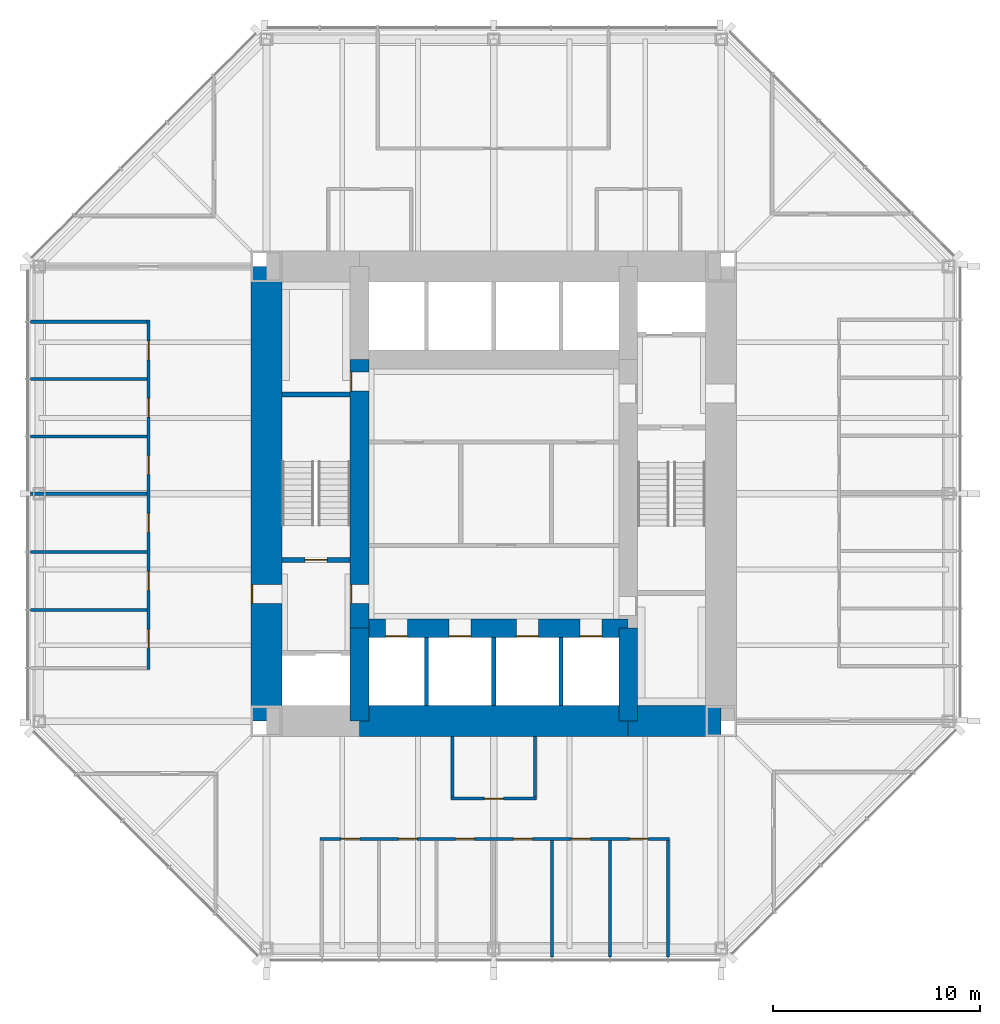
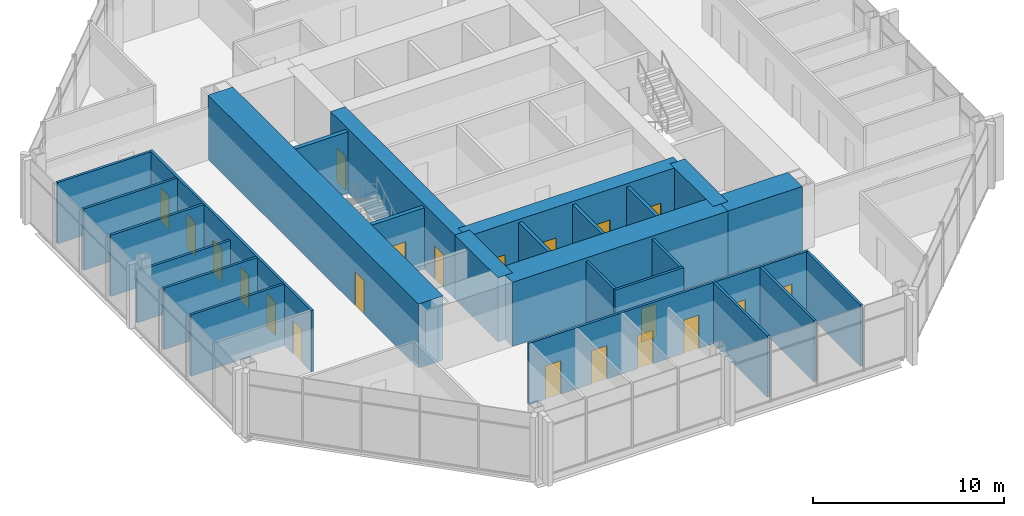
# One storey, part 9 of 12: 26 walls, 21 doors, 21 openings.
"""IFC4 building model written with IfcOpenShell, lengths in metres."""

from ifc_helpers import new_model, si_unit, direction, frame, frame_2d, origin, place, context, subcontext, project, spatial, rectangle, extrude, material, layer, layer_set, type_object, element, fill, save


model = new_model("IFC4")

# Units and contexts
model_context = context("Model", 3, precision=1e-05, world=origin(), true_north=direction((0.0, 1.0)))
body_context = subcontext(model_context, "Body", "Model", "MODEL_VIEW")
ifc_project = project(units=[si_unit("LENGTHUNIT", "METRE"), si_unit("AREAUNIT", "SQUARE_METRE"), si_unit("VOLUMEUNIT", "CUBIC_METRE"), si_unit("PLANEANGLEUNIT", "RADIAN"), si_unit("MASSUNIT", "GRAM", prefix="KILO")], contexts=[model_context])

# Site, building, storey
site_placement = place(None, origin())
site = spatial("IfcSite", under=ifc_project, at=site_placement, CompositionType="ELEMENT")
building_placement = place(site_placement, origin())
building = spatial("IfcBuilding", under=site, at=building_placement, Name="Trevanion Tower", CompositionType="ELEMENT")
storey_placement = place(building_placement, frame((0.0, 0.0, 174.60009765625)))
storey = spatial("IfcBuildingStorey", under=building, at=storey_placement, Name="L41", CompositionType="ELEMENT", Elevation=174.60009765625)

# Wall, opening, door
ifc_material_1 = material(Name="Concrete 10,000 psi", Category="concrete")
ifc_layer_1 = layer(ifc_material_1, 1.5)
ifc_layer_set_1 = layer_set([ifc_layer_1], Name="CW1 core wall 1500")
wall_type_1 = type_object("IfcWallType", Name="CW1 core wall 1500", PredefinedType="SHEAR", material=ifc_layer_set_1)
wall_1_placement = place(storey_placement, frame((-11.0, 11.0, 0.0), z_axis=(0.0, 0.0, 1.0), x_axis=(0.0, -1.0, 0.0)))
wall_1 = element("IfcWall", 1, at=wall_1_placement, inside=storey, type_object=wall_type_1, Name="CW1 CW L41", PredefinedType="SHEAR", context=body_context, shape_type="SweptSolid", body=[
    extrude(rectangle(XDim=22.0, YDim=1.5, at=frame_2d((11.0, 0.0))), origin(), (0.0, 0.0, 1.0), 4.099853515625),
])
opening_1_placement = place(wall_1_placement, frame((15.392578125, 0.0, 0.0)))
opening_1 = element("IfcOpeningElement", 2, at=opening_1_placement, cuts=wall_1, Name="Opening 41-002", PredefinedType="OPENING", context=body_context, shape_type="SweptSolid", body=[
    extrude(rectangle(XDim=0.9150390625, YDim=2.134033203125, at=frame_2d((0.45751953125, 1.06689453125))), frame((0.0, 0.760009765625, 0.0), z_axis=(0.0, -1.0, 0.0), x_axis=(1.0, 0.0, 0.0)), (0.0, 0.0, 1.0), 1.52001953125),
])
ifc_material_2 = material(Name="Hollow metal, fire rated", Category="steel")
door_type_1 = type_object("IfcDoorType", Name="D3 fire lift lobby door", OperationType="SINGLE_SWING_RIGHT", PredefinedType="DOOR", material=ifc_material_2)
door_1_placement = place(opening_1_placement, origin())
door_1 = element("IfcDoor", 3, at=door_1_placement, inside=storey, type_object=door_type_1, Name="Door 41-002", OperationType="SINGLE_SWING_RIGHT", OverallHeight=2.134033203125, OverallWidth=0.9150390625, PredefinedType="DOOR", context=body_context, shape_type="SweptSolid", body=[
    extrude(rectangle(XDim=0.9150390625, YDim=2.134033203125, at=frame_2d((0.45751953125, 1.06689453125))), frame((0.0, -0.6748046875, 0.0), z_axis=(0.0, -1.0, 0.0), x_axis=(1.0, 0.0, 0.0)), (0.0, 0.0, 1.0), 0.050048828125),
])
fill(opening_1, door_1)

# Walls
wall_2_placement = place(storey_placement, frame((-6.5, -11.0, 0.0), z_axis=(0.0, 0.0, 1.0), x_axis=(1.0, 0.0, 0.0)))
element("IfcWall", 4, at=wall_2_placement, inside=storey, type_object=wall_type_1, Name="CW1 CS2 L41", PredefinedType="SHEAR", context=body_context, shape_type="SweptSolid", body=[
    extrude(rectangle(XDim=13.0, YDim=1.5, at=frame_2d((6.5, 0.0))), origin(), (0.0, 0.0, 1.0), 4.099853515625),
])
wall_3_placement = place(storey_placement, frame((6.5, -11.0, 0.0), z_axis=(0.0, 0.0, 1.0), x_axis=(1.0, 0.0, 0.0)))
element("IfcWall", 5, at=wall_3_placement, inside=storey, type_object=wall_type_1, Name="CW1 CS3 L41", PredefinedType="SHEAR", context=body_context, shape_type="SweptSolid", body=[
    extrude(rectangle(XDim=4.5, YDim=1.5, at=frame_2d((2.25, 0.0))), origin(), (0.0, 0.0, 1.0), 4.099853515625),
])
ifc_material_3 = material(Name="Concrete 10,000 psi", Category="concrete")
ifc_layer_2 = layer(ifc_material_3, 0.89990234375)
ifc_layer_set_2 = layer_set([ifc_layer_2], Name="CW2 core wall 900")
wall_type_2 = type_object("IfcWallType", Name="CW2 core wall 900", PredefinedType="SHEAR", material=ifc_layer_set_2)
wall_4_placement = place(storey_placement, frame((6.5, -11.0, 0.0), z_axis=(0.0, 0.0, 1.0), x_axis=(0.0, 1.0, 0.0)))
element("IfcWall", 6, at=wall_4_placement, inside=storey, type_object=wall_type_2, Name="CW2 RE1 L41", PredefinedType="SHEAR", context=body_context, shape_type="SweptSolid", body=[
    extrude(rectangle(XDim=4.5, YDim=0.89990234375, at=frame_2d((2.25, 0.0))), origin(), (0.0, 0.0, 1.0), 4.099853515625),
])

# Wall, openings, doors
wall_5_placement = place(storey_placement, frame((-6.5, 6.5, 0.0), z_axis=(0.0, 0.0, 1.0), x_axis=(0.0, -1.0, 0.0)))
wall_5 = element("IfcWall", 7, at=wall_5_placement, inside=storey, type_object=wall_type_2, Name="CW2 RW2 L41", PredefinedType="SHEAR", context=body_context, shape_type="SweptSolid", body=[
    extrude(rectangle(XDim=13.0, YDim=0.89990234375, at=frame_2d((6.5, 0.0))), origin(), (0.0, 0.0, 1.0), 4.099853515625),
])
opening_2_placement = place(wall_5_placement, frame((10.892578125, 0.0, 0.0)))
opening_2 = element("IfcOpeningElement", 8, at=opening_2_placement, cuts=wall_5, Name="Opening 41-004", PredefinedType="OPENING", context=body_context, shape_type="SweptSolid", body=[
    extrude(rectangle(XDim=0.9150390625, YDim=2.134033203125, at=frame_2d((0.45751953125, 1.06689453125))), frame((0.0, 0.4599609375, 0.0), z_axis=(0.0, -1.0, 0.0), x_axis=(1.0, 0.0, 0.0)), (0.0, 0.0, 1.0), 0.919921875),
])
opening_3_placement = place(wall_5_placement, frame((0.610107421875, 0.0, 0.0)))
opening_3 = element("IfcOpeningElement", 9, at=opening_3_placement, cuts=wall_5, Name="Opening 41-010", PredefinedType="OPENING", context=body_context, shape_type="SweptSolid", body=[
    extrude(rectangle(XDim=0.9150390625, YDim=2.134033203125, at=frame_2d((0.45751953125, 1.06689453125))), frame((0.0, 0.4599609375, 0.0), z_axis=(0.0, -1.0, 0.0), x_axis=(1.0, 0.0, 0.0)), (0.0, 0.0, 1.0), 0.919921875),
])
door_2_placement = place(opening_2_placement, origin())
door_2 = element("IfcDoor", 10, at=door_2_placement, inside=storey, type_object=door_type_1, Name="Door 41-004", OperationType="SINGLE_SWING_RIGHT", OverallHeight=2.134033203125, OverallWidth=0.9150390625, PredefinedType="DOOR", context=body_context, shape_type="SweptSolid", body=[
    extrude(rectangle(XDim=0.9150390625, YDim=2.134033203125, at=frame_2d((0.45751953125, 1.06689453125))), frame((0.0, -0.375, 0.0), z_axis=(0.0, -1.0, 0.0), x_axis=(1.0, 0.0, 0.0)), (0.0, 0.0, 1.0), 0.050048828125),
])
fill(opening_2, door_2)
ifc_material_4 = material(Name="Hollow metal, fire rated", Category="steel")
door_type_2 = type_object("IfcDoorType", Name="D5 service room door", OperationType="SINGLE_SWING_RIGHT", PredefinedType="DOOR", material=ifc_material_4)
door_3_placement = place(opening_3_placement, origin())
door_3 = element("IfcDoor", 11, at=door_3_placement, inside=storey, type_object=door_type_2, Name="Door 41-010", OperationType="SINGLE_SWING_RIGHT", OverallHeight=2.134033203125, OverallWidth=0.9150390625, PredefinedType="DOOR", context=body_context, shape_type="SweptSolid", body=[
    extrude(rectangle(XDim=0.9150390625, YDim=2.134033203125, at=frame_2d((0.45751953125, 1.06689453125))), frame((0.0, -0.375, 0.0), z_axis=(0.0, -1.0, 0.0), x_axis=(1.0, 0.0, 0.0)), (0.0, 0.0, 1.0), 0.050048828125),
])
fill(opening_3, door_3)

# Wall
wall_6_placement = place(storey_placement, frame((-6.5, -6.5, 0.0), z_axis=(0.0, 0.0, 1.0), x_axis=(0.0, -1.0, 0.0)))
element("IfcWall", 12, at=wall_6_placement, inside=storey, type_object=wall_type_2, Name="CW2 RW3 L41", PredefinedType="SHEAR", context=body_context, shape_type="SweptSolid", body=[
    extrude(rectangle(XDim=4.5, YDim=0.89990234375, at=frame_2d((2.25, 0.0))), origin(), (0.0, 0.0, 1.0), 4.099853515625),
])

# Wall, openings, doors
wall_7_placement = place(storey_placement, frame((-6.5, -6.5, 0.0), z_axis=(0.0, 0.0, 1.0), x_axis=(1.0, 0.0, 0.0)))
wall_7 = element("IfcWall", 13, at=wall_7_placement, inside=storey, type_object=wall_type_2, Name="CW2 RS L41", PredefinedType="SHEAR", context=body_context, shape_type="SweptSolid", body=[
    extrude(rectangle(XDim=13.0, YDim=0.89990234375, at=frame_2d((6.5, 0.0))), origin(), (0.0, 0.0, 1.0), 4.099853515625),
])
opening_4_placement = place(wall_7_placement, frame((1.2666015625, 0.0, 0.0)))
opening_4 = element("IfcOpeningElement", 14, at=opening_4_placement, cuts=wall_7, Name="Opening 41-011", PredefinedType="OPENING", context=body_context, shape_type="SweptSolid", body=[
    extrude(rectangle(XDim=1.06689453125, YDim=2.134033203125, at=frame_2d((0.533447265625, 1.06689453125))), frame((0.0, 0.4599609375, 0.0), z_axis=(0.0, -1.0, 0.0), x_axis=(1.0, 0.0, 0.0)), (0.0, 0.0, 1.0), 0.919921875),
])
opening_5_placement = place(wall_7_placement, frame((4.341552734375, 0.0, 0.0)))
opening_5 = element("IfcOpeningElement", 15, at=opening_5_placement, cuts=wall_7, Name="Opening 41-012", PredefinedType="OPENING", context=body_context, shape_type="SweptSolid", body=[
    extrude(rectangle(XDim=1.06689453125, YDim=2.134033203125, at=frame_2d((0.533447265625, 1.06689453125))), frame((0.0, 0.4599609375, 0.0), z_axis=(0.0, -1.0, 0.0), x_axis=(1.0, 0.0, 0.0)), (0.0, 0.0, 1.0), 0.919921875),
])
opening_6_placement = place(wall_7_placement, frame((7.591552734375, 0.0, 0.0)))
opening_6 = element("IfcOpeningElement", 16, at=opening_6_placement, cuts=wall_7, Name="Opening 41-013", PredefinedType="OPENING", context=body_context, shape_type="SweptSolid", body=[
    extrude(rectangle(XDim=1.06689453125, YDim=2.134033203125, at=frame_2d((0.533447265625, 1.06689453125))), frame((0.0, 0.4599609375, 0.0), z_axis=(0.0, -1.0, 0.0), x_axis=(1.0, 0.0, 0.0)), (0.0, 0.0, 1.0), 0.919921875),
])
opening_7_placement = place(wall_7_placement, frame((10.66650390625, 0.0, 0.0)))
opening_7 = element("IfcOpeningElement", 17, at=opening_7_placement, cuts=wall_7, Name="Opening 41-014", PredefinedType="OPENING", context=body_context, shape_type="SweptSolid", body=[
    extrude(rectangle(XDim=1.06689453125, YDim=2.134033203125, at=frame_2d((0.533447265625, 1.06689453125))), frame((0.0, 0.4599609375, 0.0), z_axis=(0.0, -1.0, 0.0), x_axis=(1.0, 0.0, 0.0)), (0.0, 0.0, 1.0), 0.919921875),
])
ifc_material_5 = material(Name="Stainless steel, fire rated", Category="steel")
door_type_3 = type_object("IfcDoorType", Name="LD1 lift landing door", OperationType="SLIDING_TO_LEFT", PredefinedType="DOOR", material=ifc_material_5)
door_4_placement = place(opening_4_placement, origin())
door_4 = element("IfcDoor", 18, at=door_4_placement, inside=storey, type_object=door_type_3, Name="Door 41-011", OperationType="SLIDING_TO_LEFT", OverallHeight=2.134033203125, OverallWidth=1.06689453125, PredefinedType="DOOR", context=body_context, shape_type="SweptSolid", body=[
    extrude(rectangle(XDim=1.06689453125, YDim=2.134033203125, at=frame_2d((0.533447265625, 1.06689453125))), frame((0.0, -0.375, 0.0), z_axis=(0.0, -1.0, 0.0), x_axis=(1.0, 0.0, 0.0)), (0.0, 0.0, 1.0), 0.050048828125),
])
fill(opening_4, door_4)
door_5_placement = place(opening_5_placement, origin())
door_5 = element("IfcDoor", 19, at=door_5_placement, inside=storey, type_object=door_type_3, Name="Door 41-012", OperationType="SLIDING_TO_LEFT", OverallHeight=2.134033203125, OverallWidth=1.06689453125, PredefinedType="DOOR", context=body_context, shape_type="SweptSolid", body=[
    extrude(rectangle(XDim=1.06689453125, YDim=2.134033203125, at=frame_2d((0.533447265625, 1.06689453125))), frame((0.0, -0.375, 0.0), z_axis=(0.0, -1.0, 0.0), x_axis=(1.0, 0.0, 0.0)), (0.0, 0.0, 1.0), 0.050048828125),
])
fill(opening_5, door_5)
door_6_placement = place(opening_6_placement, origin())
door_6 = element("IfcDoor", 20, at=door_6_placement, inside=storey, type_object=door_type_3, Name="Door 41-013", OperationType="SLIDING_TO_LEFT", OverallHeight=2.134033203125, OverallWidth=1.06689453125, PredefinedType="DOOR", context=body_context, shape_type="SweptSolid", body=[
    extrude(rectangle(XDim=1.06689453125, YDim=2.134033203125, at=frame_2d((0.533447265625, 1.06689453125))), frame((0.0, -0.375, 0.0), z_axis=(0.0, -1.0, 0.0), x_axis=(1.0, 0.0, 0.0)), (0.0, 0.0, 1.0), 0.050048828125),
])
fill(opening_6, door_6)
door_7_placement = place(opening_7_placement, origin())
door_7 = element("IfcDoor", 21, at=door_7_placement, inside=storey, type_object=door_type_3, Name="Door 41-014", OperationType="SLIDING_TO_LEFT", OverallHeight=2.134033203125, OverallWidth=1.06689453125, PredefinedType="DOOR", context=body_context, shape_type="SweptSolid", body=[
    extrude(rectangle(XDim=1.06689453125, YDim=2.134033203125, at=frame_2d((0.533447265625, 1.06689453125))), frame((0.0, -0.375, 0.0), z_axis=(0.0, -1.0, 0.0), x_axis=(1.0, 0.0, 0.0)), (0.0, 0.0, 1.0), 0.050048828125),
])
fill(opening_7, door_7)

ifc_material_6 = material(Name="Gypsum board on steel studs", Category="steel")
ifc_layer_3 = layer(ifc_material_6, 0.14990234375)
ifc_layer_set_3 = layer_set([ifc_layer_3], Name="PT1 partition 150")
wall_type_3 = type_object("IfcWallType", Name="PT1 partition 150", PredefinedType="PARTITIONING", material=ifc_layer_set_3)
wall_8_placement = place(storey_placement, frame((-16.699951171875, 8.39794921875, 0.0), z_axis=(0.0, 0.0, 1.0), x_axis=(0.0, -1.0, 0.0)))
wall_8 = element("IfcWall", 22, at=wall_8_placement, inside=storey, type_object=wall_type_3, Name="PT1 L41 FC2F", PredefinedType="PARTITIONING", context=body_context, shape_type="SweptSolid", body=[
    extrude(rectangle(XDim=16.89404296875, YDim=0.14990234375, at=frame_2d((8.447021484375, 0.0))), origin(), (0.0, 0.0, 1.0), 3.909912109375),
])
opening_8_placement = place(wall_8_placement, frame((1.00439453125, 0.0, 0.0)))
opening_8 = element("IfcOpeningElement", 23, at=opening_8_placement, cuts=wall_8, Name="Opening 41-031", PredefinedType="OPENING", context=body_context, shape_type="SweptSolid", body=[
    extrude(rectangle(XDim=0.9150390625, YDim=2.134033203125, at=frame_2d((0.45751953125, 1.06689453125))), frame((0.0, 0.0849609375, 0.0), z_axis=(0.0, -1.0, 0.0), x_axis=(1.0, 0.0, 0.0)), (0.0, 0.0, 1.0), 0.169921875),
])
opening_9_placement = place(wall_8_placement, frame((3.778564453125, 0.0, 0.0)))
opening_9 = element("IfcOpeningElement", 24, at=opening_9_placement, cuts=wall_8, Name="Opening 41-032", PredefinedType="OPENING", context=body_context, shape_type="SweptSolid", body=[
    extrude(rectangle(XDim=0.9150390625, YDim=2.134033203125, at=frame_2d((0.45751953125, 1.06689453125))), frame((0.0, 0.0849609375, 0.0), z_axis=(0.0, -1.0, 0.0), x_axis=(1.0, 0.0, 0.0)), (0.0, 0.0, 1.0), 0.169921875),
])
opening_10_placement = place(wall_8_placement, frame((6.552978515625, 0.0, 0.0)))
opening_10 = element("IfcOpeningElement", 25, at=opening_10_placement, cuts=wall_8, Name="Opening 41-033", PredefinedType="OPENING", context=body_context, shape_type="SweptSolid", body=[
    extrude(rectangle(XDim=0.9150390625, YDim=2.134033203125, at=frame_2d((0.45751953125, 1.06689453125))), frame((0.0, 0.0849609375, 0.0), z_axis=(0.0, -1.0, 0.0), x_axis=(1.0, 0.0, 0.0)), (0.0, 0.0, 1.0), 0.169921875),
])
opening_11_placement = place(wall_8_placement, frame((9.343994140625, 0.0, 0.0)))
opening_11 = element("IfcOpeningElement", 26, at=opening_11_placement, cuts=wall_8, Name="Opening 41-034", PredefinedType="OPENING", context=body_context, shape_type="SweptSolid", body=[
    extrude(rectangle(XDim=0.9150390625, YDim=2.134033203125, at=frame_2d((0.45751953125, 1.06689453125))), frame((0.0, 0.0849609375, 0.0), z_axis=(0.0, -1.0, 0.0), x_axis=(1.0, 0.0, 0.0)), (0.0, 0.0, 1.0), 0.169921875),
])
opening_12_placement = place(wall_8_placement, frame((12.15087890625, 0.0, 0.0)))
opening_12 = element("IfcOpeningElement", 27, at=opening_12_placement, cuts=wall_8, Name="Opening 41-035", PredefinedType="OPENING", context=body_context, shape_type="SweptSolid", body=[
    extrude(rectangle(XDim=0.9150390625, YDim=2.134033203125, at=frame_2d((0.45751953125, 1.06689453125))), frame((0.0, 0.0849609375, 0.0), z_axis=(0.0, -1.0, 0.0), x_axis=(1.0, 0.0, 0.0)), (0.0, 0.0, 1.0), 0.169921875),
])
opening_13_placement = place(wall_8_placement, frame((14.9580078125, 0.0, 0.0)))
opening_13 = element("IfcOpeningElement", 28, at=opening_13_placement, cuts=wall_8, Name="Opening 41-036", PredefinedType="OPENING", context=body_context, shape_type="SweptSolid", body=[
    extrude(rectangle(XDim=0.9150390625, YDim=2.134033203125, at=frame_2d((0.45751953125, 1.06689453125))), frame((0.0, 0.0849609375, 0.0), z_axis=(0.0, -1.0, 0.0), x_axis=(1.0, 0.0, 0.0)), (0.0, 0.0, 1.0), 0.169921875),
])
ifc_material_7 = material(Name="Timber veneer, solid core", Category="wood")
door_type_4 = type_object("IfcDoorType", Name="D1 office and meeting room door", OperationType="SINGLE_SWING_LEFT", PredefinedType="DOOR", material=ifc_material_7)
door_8_placement = place(opening_8_placement, origin())
door_8 = element("IfcDoor", 29, at=door_8_placement, inside=storey, type_object=door_type_4, Name="Door 41-031", OperationType="SINGLE_SWING_LEFT", OverallHeight=2.134033203125, OverallWidth=0.9150390625, PredefinedType="DOOR", context=body_context, shape_type="SweptSolid", body=[
    extrude(rectangle(XDim=0.9150390625, YDim=2.134033203125, at=frame_2d((0.45751953125, 1.06689453125))), frame((0.0, 0.02490234375, 0.0), z_axis=(0.0, -1.0, 0.0), x_axis=(1.0, 0.0, 0.0)), (0.0, 0.0, 1.0), 0.050048828125),
])
fill(opening_8, door_8)
door_9_placement = place(opening_9_placement, origin())
door_9 = element("IfcDoor", 30, at=door_9_placement, inside=storey, type_object=door_type_4, Name="Door 41-032", OperationType="SINGLE_SWING_LEFT", OverallHeight=2.134033203125, OverallWidth=0.9150390625, PredefinedType="DOOR", context=body_context, shape_type="SweptSolid", body=[
    extrude(rectangle(XDim=0.9150390625, YDim=2.134033203125, at=frame_2d((0.45751953125, 1.06689453125))), frame((0.0, 0.02490234375, 0.0), z_axis=(0.0, -1.0, 0.0), x_axis=(1.0, 0.0, 0.0)), (0.0, 0.0, 1.0), 0.050048828125),
])
fill(opening_9, door_9)
door_10_placement = place(opening_10_placement, origin())
door_10 = element("IfcDoor", 31, at=door_10_placement, inside=storey, type_object=door_type_4, Name="Door 41-033", OperationType="SINGLE_SWING_LEFT", OverallHeight=2.134033203125, OverallWidth=0.9150390625, PredefinedType="DOOR", context=body_context, shape_type="SweptSolid", body=[
    extrude(rectangle(XDim=0.9150390625, YDim=2.134033203125, at=frame_2d((0.45751953125, 1.06689453125))), frame((0.0, 0.02490234375, 0.0), z_axis=(0.0, -1.0, 0.0), x_axis=(1.0, 0.0, 0.0)), (0.0, 0.0, 1.0), 0.050048828125),
])
fill(opening_10, door_10)
door_11_placement = place(opening_11_placement, origin())
door_11 = element("IfcDoor", 32, at=door_11_placement, inside=storey, type_object=door_type_4, Name="Door 41-034", OperationType="SINGLE_SWING_LEFT", OverallHeight=2.134033203125, OverallWidth=0.9150390625, PredefinedType="DOOR", context=body_context, shape_type="SweptSolid", body=[
    extrude(rectangle(XDim=0.9150390625, YDim=2.134033203125, at=frame_2d((0.45751953125, 1.06689453125))), frame((0.0, 0.02490234375, 0.0), z_axis=(0.0, -1.0, 0.0), x_axis=(1.0, 0.0, 0.0)), (0.0, 0.0, 1.0), 0.050048828125),
])
fill(opening_11, door_11)
door_12_placement = place(opening_12_placement, origin())
door_12 = element("IfcDoor", 33, at=door_12_placement, inside=storey, type_object=door_type_4, Name="Door 41-035", OperationType="SINGLE_SWING_LEFT", OverallHeight=2.134033203125, OverallWidth=0.9150390625, PredefinedType="DOOR", context=body_context, shape_type="SweptSolid", body=[
    extrude(rectangle(XDim=0.9150390625, YDim=2.134033203125, at=frame_2d((0.45751953125, 1.06689453125))), frame((0.0, 0.02490234375, 0.0), z_axis=(0.0, -1.0, 0.0), x_axis=(1.0, 0.0, 0.0)), (0.0, 0.0, 1.0), 0.050048828125),
])
fill(opening_12, door_12)
door_13_placement = place(opening_13_placement, origin())
door_13 = element("IfcDoor", 34, at=door_13_placement, inside=storey, type_object=door_type_4, Name="Door 41-036", OperationType="SINGLE_SWING_LEFT", OverallHeight=2.134033203125, OverallWidth=0.9150390625, PredefinedType="DOOR", context=body_context, shape_type="SweptSolid", body=[
    extrude(rectangle(XDim=0.9150390625, YDim=2.134033203125, at=frame_2d((0.45751953125, 1.06689453125))), frame((0.0, 0.02490234375, 0.0), z_axis=(0.0, -1.0, 0.0), x_axis=(1.0, 0.0, 0.0)), (0.0, 0.0, 1.0), 0.050048828125),
])
fill(opening_13, door_13)

# Walls
for number, where, z_axis, x_axis, name in (
    (35, (-16.77490234375, 8.322998046875, 0.0), (0.0, 0.0, 1.0), (-1.0, 0.0, 0.0), "PT1 L41 FC2S0"),
    (36, (-16.77490234375, 5.549072265625, 0.0), (0.0, 0.0, 1.0), (-1.0, 0.0, 0.0), "PT1 L41 FC2S1"),
    (37, (-16.77490234375, 2.77490234375, 0.0), (0.0, 0.0, 1.0), (-1.0, 0.0, 0.0), "PT1 L41 FC2S2"),
):
    element("IfcWall", number, at=place(storey_placement, frame(where, z_axis=z_axis, x_axis=x_axis)), inside=storey, type_object=wall_type_3, Name=name, PredefinedType="PARTITIONING", context=body_context, shape_type="SweptSolid", body=[
        extrude(rectangle(XDim=5.64013671875, YDim=0.14990234375, at=frame_2d((2.820068359375, 0.0))), origin(), (0.0, 0.0, 1.0), 3.909912109375),
    ])
wall_9_placement = place(storey_placement, frame((-16.77490234375, 0.0, 0.0), z_axis=(0.0, 0.0, 1.0), x_axis=(-1.0, 0.0, 0.0)))
element("IfcWall", 38, at=wall_9_placement, inside=storey, type_object=wall_type_3, Name="PT1 L41 FC2S3", PredefinedType="PARTITIONING", context=body_context, shape_type="SweptSolid", body=[
    extrude(rectangle(XDim=5.64013671875, YDim=0.14990234375, at=frame_2d((2.820068359375, 0.0))), origin(), (0.0, 0.0, 1.0), 3.30029296875),
])
for number, where, z_axis, x_axis, name in (
    (39, (-16.77490234375, -2.806884765625, 0.0), (0.0, 0.0, 1.0), (-1.0, 0.0, 0.0), "PT1 L41 FC2S4"),
    (40, (-16.77490234375, -5.614013671875, 0.0), (0.0, 0.0, 1.0), (-1.0, 0.0, 0.0), "PT1 L41 FC2S5"),
):
    element("IfcWall", number, at=place(storey_placement, frame(where, z_axis=z_axis, x_axis=x_axis)), inside=storey, type_object=wall_type_3, Name=name, PredefinedType="PARTITIONING", context=body_context, shape_type="SweptSolid", body=[
        extrude(rectangle(XDim=5.64013671875, YDim=0.14990234375, at=frame_2d((2.820068359375, 0.0))), origin(), (0.0, 0.0, 1.0), 3.909912109375),
    ])

# Wall, openings, doors
wall_10_placement = place(storey_placement, frame((-8.39794921875, -16.699951171875, 0.0), z_axis=(0.0, 0.0, 1.0), x_axis=(1.0, 0.0, 0.0)))
wall_10 = element("IfcWall", 41, at=wall_10_placement, inside=storey, type_object=wall_type_3, Name="PT1 L41 FC3F", PredefinedType="PARTITIONING", context=body_context, shape_type="SweptSolid", body=[
    extrude(rectangle(XDim=16.89404296875, YDim=0.14990234375, at=frame_2d((8.447021484375, 0.0))), origin(), (0.0, 0.0, 1.0), 3.909912109375),
])
opening_14_placement = place(wall_10_placement, frame((1.00439453125, 0.0, 0.0)))
opening_14 = element("IfcOpeningElement", 42, at=opening_14_placement, cuts=wall_10, Name="Opening 41-037", PredefinedType="OPENING", context=body_context, shape_type="SweptSolid", body=[
    extrude(rectangle(XDim=0.9150390625, YDim=2.134033203125, at=frame_2d((0.45751953125, 1.06689453125))), frame((0.0, 0.0849609375, 0.0), z_axis=(0.0, -1.0, 0.0), x_axis=(1.0, 0.0, 0.0)), (0.0, 0.0, 1.0), 0.169921875),
])
opening_15_placement = place(wall_10_placement, frame((3.778564453125, 0.0, 0.0)))
opening_15 = element("IfcOpeningElement", 43, at=opening_15_placement, cuts=wall_10, Name="Opening 41-038", PredefinedType="OPENING", context=body_context, shape_type="SweptSolid", body=[
    extrude(rectangle(XDim=0.9150390625, YDim=2.134033203125, at=frame_2d((0.45751953125, 1.06689453125))), frame((0.0, 0.0849609375, 0.0), z_axis=(0.0, -1.0, 0.0), x_axis=(1.0, 0.0, 0.0)), (0.0, 0.0, 1.0), 0.169921875),
])
opening_16_placement = place(wall_10_placement, frame((6.552978515625, 0.0, 0.0)))
opening_16 = element("IfcOpeningElement", 44, at=opening_16_placement, cuts=wall_10, Name="Opening 41-039", PredefinedType="OPENING", context=body_context, shape_type="SweptSolid", body=[
    extrude(rectangle(XDim=0.9150390625, YDim=2.134033203125, at=frame_2d((0.45751953125, 1.06689453125))), frame((0.0, 0.0849609375, 0.0), z_axis=(0.0, -1.0, 0.0), x_axis=(1.0, 0.0, 0.0)), (0.0, 0.0, 1.0), 0.169921875),
])
opening_17_placement = place(wall_10_placement, frame((9.343994140625, 0.0, 0.0)))
opening_17 = element("IfcOpeningElement", 45, at=opening_17_placement, cuts=wall_10, Name="Opening 41-040", PredefinedType="OPENING", context=body_context, shape_type="SweptSolid", body=[
    extrude(rectangle(XDim=0.9150390625, YDim=2.134033203125, at=frame_2d((0.45751953125, 1.06689453125))), frame((0.0, 0.0849609375, 0.0), z_axis=(0.0, -1.0, 0.0), x_axis=(1.0, 0.0, 0.0)), (0.0, 0.0, 1.0), 0.169921875),
])
opening_18_placement = place(wall_10_placement, frame((12.15087890625, 0.0, 0.0)))
opening_18 = element("IfcOpeningElement", 46, at=opening_18_placement, cuts=wall_10, Name="Opening 41-041", PredefinedType="OPENING", context=body_context, shape_type="SweptSolid", body=[
    extrude(rectangle(XDim=0.9150390625, YDim=2.134033203125, at=frame_2d((0.45751953125, 1.06689453125))), frame((0.0, 0.0849609375, 0.0), z_axis=(0.0, -1.0, 0.0), x_axis=(1.0, 0.0, 0.0)), (0.0, 0.0, 1.0), 0.169921875),
])
opening_19_placement = place(wall_10_placement, frame((14.9580078125, 0.0, 0.0)))
opening_19 = element("IfcOpeningElement", 47, at=opening_19_placement, cuts=wall_10, Name="Opening 41-042", PredefinedType="OPENING", context=body_context, shape_type="SweptSolid", body=[
    extrude(rectangle(XDim=0.9150390625, YDim=2.134033203125, at=frame_2d((0.45751953125, 1.06689453125))), frame((0.0, 0.0849609375, 0.0), z_axis=(0.0, -1.0, 0.0), x_axis=(1.0, 0.0, 0.0)), (0.0, 0.0, 1.0), 0.169921875),
])
door_14_placement = place(opening_14_placement, origin())
door_14 = element("IfcDoor", 48, at=door_14_placement, inside=storey, type_object=door_type_4, Name="Door 41-037", OperationType="SINGLE_SWING_LEFT", OverallHeight=2.134033203125, OverallWidth=0.9150390625, PredefinedType="DOOR", context=body_context, shape_type="SweptSolid", body=[
    extrude(rectangle(XDim=0.9150390625, YDim=2.134033203125, at=frame_2d((0.45751953125, 1.06689453125))), frame((0.0, 0.02490234375, 0.0), z_axis=(0.0, -1.0, 0.0), x_axis=(1.0, 0.0, 0.0)), (0.0, 0.0, 1.0), 0.050048828125),
])
fill(opening_14, door_14)
door_15_placement = place(opening_15_placement, origin())
door_15 = element("IfcDoor", 49, at=door_15_placement, inside=storey, type_object=door_type_4, Name="Door 41-038", OperationType="SINGLE_SWING_LEFT", OverallHeight=2.134033203125, OverallWidth=0.9150390625, PredefinedType="DOOR", context=body_context, shape_type="SweptSolid", body=[
    extrude(rectangle(XDim=0.9150390625, YDim=2.134033203125, at=frame_2d((0.45751953125, 1.06689453125))), frame((0.0, 0.02490234375, 0.0), z_axis=(0.0, -1.0, 0.0), x_axis=(1.0, 0.0, 0.0)), (0.0, 0.0, 1.0), 0.050048828125),
])
fill(opening_15, door_15)
door_16_placement = place(opening_16_placement, origin())
door_16 = element("IfcDoor", 50, at=door_16_placement, inside=storey, type_object=door_type_4, Name="Door 41-039", OperationType="SINGLE_SWING_LEFT", OverallHeight=2.134033203125, OverallWidth=0.9150390625, PredefinedType="DOOR", context=body_context, shape_type="SweptSolid", body=[
    extrude(rectangle(XDim=0.9150390625, YDim=2.134033203125, at=frame_2d((0.45751953125, 1.06689453125))), frame((0.0, 0.02490234375, 0.0), z_axis=(0.0, -1.0, 0.0), x_axis=(1.0, 0.0, 0.0)), (0.0, 0.0, 1.0), 0.050048828125),
])
fill(opening_16, door_16)
door_17_placement = place(opening_17_placement, origin())
door_17 = element("IfcDoor", 51, at=door_17_placement, inside=storey, type_object=door_type_4, Name="Door 41-040", OperationType="SINGLE_SWING_LEFT", OverallHeight=2.134033203125, OverallWidth=0.9150390625, PredefinedType="DOOR", context=body_context, shape_type="SweptSolid", body=[
    extrude(rectangle(XDim=0.9150390625, YDim=2.134033203125, at=frame_2d((0.45751953125, 1.06689453125))), frame((0.0, 0.02490234375, 0.0), z_axis=(0.0, -1.0, 0.0), x_axis=(1.0, 0.0, 0.0)), (0.0, 0.0, 1.0), 0.050048828125),
])
fill(opening_17, door_17)
door_18_placement = place(opening_18_placement, origin())
door_18 = element("IfcDoor", 52, at=door_18_placement, inside=storey, type_object=door_type_4, Name="Door 41-041", OperationType="SINGLE_SWING_LEFT", OverallHeight=2.134033203125, OverallWidth=0.9150390625, PredefinedType="DOOR", context=body_context, shape_type="SweptSolid", body=[
    extrude(rectangle(XDim=0.9150390625, YDim=2.134033203125, at=frame_2d((0.45751953125, 1.06689453125))), frame((0.0, 0.02490234375, 0.0), z_axis=(0.0, -1.0, 0.0), x_axis=(1.0, 0.0, 0.0)), (0.0, 0.0, 1.0), 0.050048828125),
])
fill(opening_18, door_18)
door_19_placement = place(opening_19_placement, origin())
door_19 = element("IfcDoor", 53, at=door_19_placement, inside=storey, type_object=door_type_4, Name="Door 41-042", OperationType="SINGLE_SWING_LEFT", OverallHeight=2.134033203125, OverallWidth=0.9150390625, PredefinedType="DOOR", context=body_context, shape_type="SweptSolid", body=[
    extrude(rectangle(XDim=0.9150390625, YDim=2.134033203125, at=frame_2d((0.45751953125, 1.06689453125))), frame((0.0, 0.02490234375, 0.0), z_axis=(0.0, -1.0, 0.0), x_axis=(1.0, 0.0, 0.0)), (0.0, 0.0, 1.0), 0.050048828125),
])
fill(opening_19, door_19)

# Walls
for number, where, z_axis, x_axis, name in (
    (54, (2.806884765625, -16.77490234375, 0.0), (0.0, 0.0, 1.0), (0.0, -1.0, 0.0), "PT1 L41 FC3S4"),
    (55, (5.614013671875, -16.77490234375, 0.0), (0.0, 0.0, 1.0), (0.0, -1.0, 0.0), "PT1 L41 FC3S5"),
    (56, (8.4208984375, -16.77490234375, 0.0), (0.0, 0.0, 1.0), (0.0, -1.0, 0.0), "PT1 L41 FC3S6"),
):
    element("IfcWall", number, at=place(storey_placement, frame(where, z_axis=z_axis, x_axis=x_axis)), inside=storey, type_object=wall_type_3, Name=name, PredefinedType="PARTITIONING", context=body_context, shape_type="SweptSolid", body=[
        extrude(rectangle(XDim=5.64013671875, YDim=0.14990234375, at=frame_2d((2.820068359375, 0.0))), origin(), (0.0, 0.0, 1.0), 3.909912109375),
    ])

# Wall, opening, door
wall_11_placement = place(storey_placement, frame((-2.074951171875, -14.75, 0.0), z_axis=(0.0, 0.0, 1.0), x_axis=(1.0, 0.0, 0.0)))
wall_11 = element("IfcWall", 57, at=wall_11_placement, inside=storey, type_object=wall_type_3, Name="PT1 L41 IN30F", PredefinedType="PARTITIONING", context=body_context, shape_type="SweptSolid", body=[
    extrude(rectangle(XDim=4.14990234375, YDim=0.14990234375, at=frame_2d((2.074951171875, 0.0))), origin(), (0.0, 0.0, 1.0), 3.909912109375),
])
opening_20_placement = place(wall_11_placement, frame((1.617431640625, 0.0, 0.0)))
opening_20 = element("IfcOpeningElement", 58, at=opening_20_placement, cuts=wall_11, Name="Opening 41-045", PredefinedType="OPENING", context=body_context, shape_type="SweptSolid", body=[
    extrude(rectangle(XDim=0.9150390625, YDim=2.134033203125, at=frame_2d((0.45751953125, 1.06689453125))), frame((0.0, 0.0849609375, 0.0), z_axis=(0.0, -1.0, 0.0), x_axis=(1.0, 0.0, 0.0)), (0.0, 0.0, 1.0), 0.169921875),
])
door_20_placement = place(opening_20_placement, origin())
door_20 = element("IfcDoor", 59, at=door_20_placement, inside=storey, type_object=door_type_4, Name="Door 41-045", OperationType="SINGLE_SWING_LEFT", OverallHeight=2.134033203125, OverallWidth=0.9150390625, PredefinedType="DOOR", context=body_context, shape_type="SweptSolid", body=[
    extrude(rectangle(XDim=0.9150390625, YDim=2.134033203125, at=frame_2d((0.45751953125, 1.06689453125))), frame((0.0, 0.02490234375, 0.0), z_axis=(0.0, -1.0, 0.0), x_axis=(1.0, 0.0, 0.0)), (0.0, 0.0, 1.0), 0.050048828125),
])
fill(opening_20, door_20)

# Walls
for number, where, z_axis, x_axis, name in (
    (60, (-2.0, -14.675048828125, 0.0), (0.0, 0.0, 1.0), (0.0, 1.0, 0.0), "PT1 L41 IN30S0"),
    (61, (2.0, -14.675048828125, 0.0), (0.0, 0.0, 1.0), (0.0, 1.0, 0.0), "PT1 L41 IN30S1"),
):
    element("IfcWall", number, at=place(storey_placement, frame(where, z_axis=z_axis, x_axis=x_axis)), inside=storey, type_object=wall_type_3, Name=name, PredefinedType="PARTITIONING", context=body_context, shape_type="SweptSolid", body=[
        extrude(rectangle(XDim=2.925048828125, YDim=0.14990234375, at=frame_2d((1.46240234375, 0.0))), origin(), (0.0, 0.0, 1.0), 3.909912109375),
    ])
ifc_material_8 = material(Name="Concrete masonry, grouted", Category="masonry")
ifc_layer_4 = layer(ifc_material_8, 0.199951171875)
ifc_layer_set_4 = layer_set([ifc_layer_4], Name="PT2 partition 200 2 HR")
wall_type_4 = type_object("IfcWallType", Name="PT2 partition 200 2 HR", PredefinedType="PARTITIONING", material=ifc_layer_set_4)
for number, where, z_axis, x_axis, name in (
    (62, (-3.25, -10.25, 0.0), (0.0, 0.0, 1.0), (0.0, 1.0, 0.0), "PT2 L41 SS0"),
    (63, (0.0, -10.25, 0.0), (0.0, 0.0, 1.0), (0.0, 1.0, 0.0), "PT2 L41 SS1"),
    (64, (3.25, -10.25, 0.0), (0.0, 0.0, 1.0), (0.0, 1.0, 0.0), "PT2 L41 SS2"),
):
    element("IfcWall", number, at=place(storey_placement, frame(where, z_axis=z_axis, x_axis=x_axis)), inside=storey, type_object=wall_type_4, Name=name, PredefinedType="PARTITIONING", context=body_context, shape_type="SweptSolid", body=[
        extrude(rectangle(XDim=3.300048828125, YDim=0.199951171875, at=frame_2d((1.64990234375, 0.0))), origin(), (0.0, 0.0, 1.0), 3.909912109375),
    ])
ifc_material_9 = material(Name="Reinforced masonry, fully grouted", Category="masonry")
ifc_layer_5 = layer(ifc_material_9, 0.25)
ifc_layer_set_5 = layer_set([ifc_layer_5], Name="SW1 stair shaft wall 250")
wall_type_5 = type_object("IfcWallType", Name="SW1 stair shaft wall 250", PredefinedType="SOLIDWALL", material=ifc_layer_set_5)
wall_12_placement = place(storey_placement, frame((-6.949951171875, 4.800048828125, 0.0), z_axis=(0.0, 0.0, 1.0), x_axis=(-1.0, 0.0, 0.0)))
element("IfcWall", 65, at=wall_12_placement, inside=storey, type_object=wall_type_5, Name="SW1 L41 WP1", PredefinedType="SOLIDWALL", context=body_context, shape_type="SweptSolid", body=[
    extrude(rectangle(XDim=3.300048828125, YDim=0.25, at=frame_2d((1.64990234375, 0.0))), origin(), (0.0, 0.0, 1.0), 3.909912109375),
])

# Wall, opening, door
wall_13_placement = place(storey_placement, frame((-6.949951171875, -3.199951171875, 0.0), z_axis=(0.0, 0.0, 1.0), x_axis=(-1.0, 0.0, 0.0)))
wall_13 = element("IfcWall", 66, at=wall_13_placement, inside=storey, type_object=wall_type_5, Name="SW1 L41 WP2", PredefinedType="SOLIDWALL", context=body_context, shape_type="SweptSolid", body=[
    extrude(rectangle(XDim=3.300048828125, YDim=0.25, at=frame_2d((1.64990234375, 0.0))), origin(), (0.0, 0.0, 1.0), 3.909912109375),
])
opening_21_placement = place(wall_13_placement, frame((1.116455078125, 0.0, 0.0)))
opening_21 = element("IfcOpeningElement", 67, at=opening_21_placement, cuts=wall_13, Name="Opening 41-006", PredefinedType="OPENING", context=body_context, shape_type="SweptSolid", body=[
    extrude(rectangle(XDim=1.06689453125, YDim=2.134033203125, at=frame_2d((0.533447265625, 1.06689453125))), frame((0.0, 0.135009765625, 0.0), z_axis=(0.0, -1.0, 0.0), x_axis=(1.0, 0.0, 0.0)), (0.0, 0.0, 1.0), 0.27001953125),
])
ifc_material_10 = material(Name="Hollow metal, fire rated", Category="steel")
door_type_5 = type_object("IfcDoorType", Name="D2 exit stair door", OperationType="SINGLE_SWING_LEFT", PredefinedType="DOOR", material=ifc_material_10)
door_21_placement = place(opening_21_placement, origin())
door_21 = element("IfcDoor", 68, at=door_21_placement, inside=storey, type_object=door_type_5, Name="Door 41-006", OperationType="SINGLE_SWING_LEFT", OverallHeight=2.134033203125, OverallWidth=1.06689453125, PredefinedType="DOOR", context=body_context, shape_type="SweptSolid", body=[
    extrude(rectangle(XDim=1.06689453125, YDim=2.134033203125, at=frame_2d((0.533447265625, 1.06689453125))), frame((0.0, 0.02490234375, 0.0), z_axis=(0.0, -1.0, 0.0), x_axis=(1.0, 0.0, 0.0)), (0.0, 0.0, 1.0), 0.050048828125),
])
fill(opening_21, door_21)

save(model, "model.ifc")
